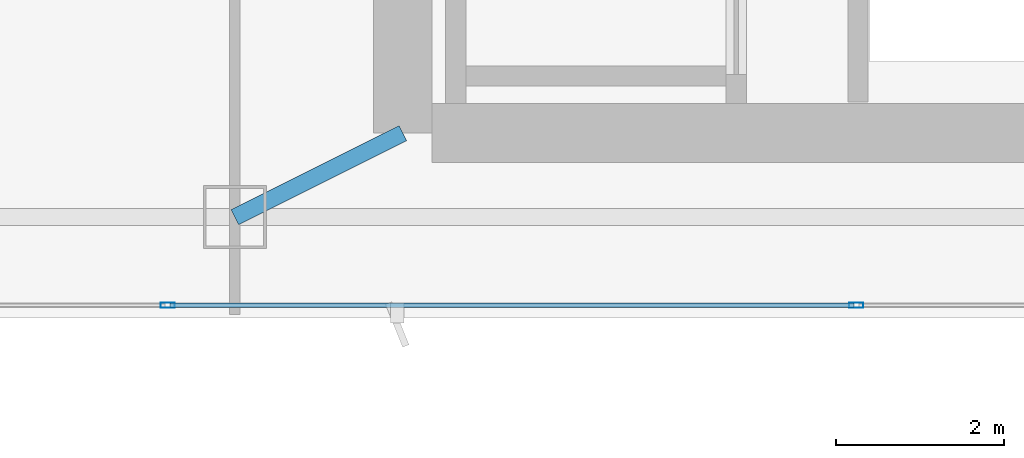
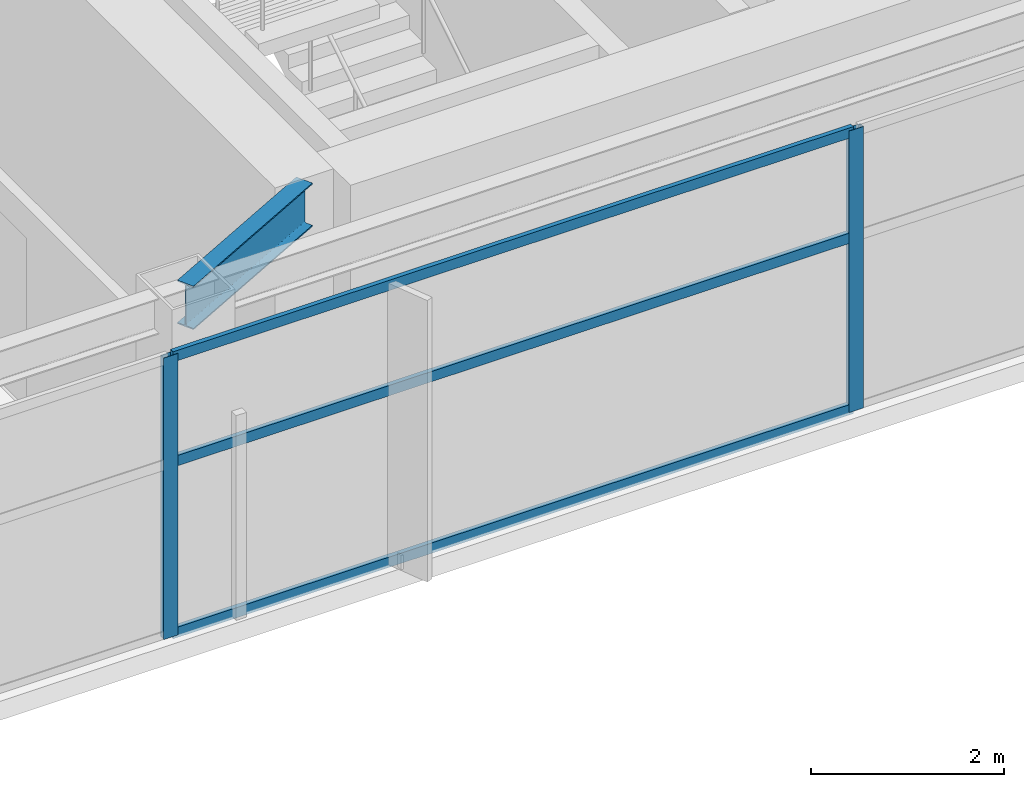
# One storey, part 7 of 29: 5 members, 1 beam, 1 element without a shape of its own.
"""IFC4 building model written with IfcOpenShell, lengths in metres."""

import ifcopenshell
import ifcopenshell.guid

model = None  # the IFC model being written
_history = None  # IfcOwnerHistory: only IFC2X3 demands one
_inside = {}  # id of a spatial element -> (the spatial element, [elements in it])
_under = {}  # id of a project, library or spatial element -> (it, [spatial elements below it])
_declared = {}  # id of a project -> (the project, [libraries it declares])
_typed = {}  # id of a type object -> (the type object, [elements of that type])
_made_of = {}  # id of a material, layer set ... -> (it, [elements and type objects made of it])


def new_model(schema):
    """Start an empty IFC model of exactly this schema.

    Asked for "IFC4X3", IfcOpenShell would pick the latest addendum, in which some entities
    have other attributes; the version numbers below select the first issue.
    IFC2X3 requires an IfcOwnerHistory on every rooted entity: one is made here for all.
    """
    global model, _history
    if schema == "IFC4X3":
        model = ifcopenshell.file(schema_version=(4, 3, 0, 0))
    else:
        model = ifcopenshell.file(schema=schema)
    _inside.clear()
    _under.clear()
    _declared.clear()
    _typed.clear()
    _made_of.clear()
    _history = None
    if model.schema == "IFC2X3":
        org = make("IfcOrganization", Name="unknown")
        user = make(
            "IfcPersonAndOrganization",
            ThePerson=make("IfcPerson", FamilyName="unknown"),
            TheOrganization=org,
        )
        app = make(
            "IfcApplication",
            ApplicationDeveloper=org,
            Version="unknown",
            ApplicationFullName="unknown",
            ApplicationIdentifier="unknown",
        )
        _history = make(
            "IfcOwnerHistory",
            OwningUser=user,
            OwningApplication=app,
            ChangeAction="ADDED",
            CreationDate=0,
        )
    return model


def make(cls, **values):
    """One entity of the class cls with the attributes given. An attribute that is None is left unset."""
    return model.create_entity(
        cls, **{name: value for name, value in values.items() if value is not None}
    )


def rooted(cls, **values):
    """An entity with a GlobalId (a new one), such as an element, a storey or a relation."""
    return make(cls, GlobalId=ifcopenshell.guid.new(), OwnerHistory=_history, **values)


def si_unit(unit_type, name, prefix=None):
    """IfcSIUnit, for example si_unit("LENGTHUNIT", "METRE", prefix="MILLI")."""
    return make("IfcSIUnit", UnitType=unit_type, Prefix=prefix, Name=name)


def assignment(units):
    """IfcUnitAssignment: the units of a project."""
    return None if units is None else make("IfcUnitAssignment", Units=units)


def point(xyz):
    """IfcCartesianPoint."""
    return None if xyz is None else make("IfcCartesianPoint", Coordinates=xyz)


def direction(xyz):
    """IfcDirection."""
    return None if xyz is None else make("IfcDirection", DirectionRatios=xyz)


def frame(location, z_axis=None, x_axis=None):
    """IfcAxis2Placement3D, a coordinate frame: its origin and axes. An axis left out is left unset."""
    return make(
        "IfcAxis2Placement3D",
        Location=point(location),
        Axis=direction(z_axis),
        RefDirection=direction(x_axis),
    )


def frame_2d(location, x_axis=None):
    """IfcAxis2Placement2D, a coordinate frame in the plane: its origin and x axis."""
    return make(
        "IfcAxis2Placement2D", Location=point(location), RefDirection=direction(x_axis)
    )


def origin():
    """The frame at (0, 0, 0) with its axes left unset."""
    return frame((0.0, 0.0, 0.0))


def origin_2d():
    """The frame at (0, 0) in the plane with its x axis left unset."""
    return frame_2d((0.0, 0.0))


def place(relative_to, where):
    """IfcLocalPlacement: puts the frame where relative to a parent placement (None: the world)."""
    return make(
        "IfcLocalPlacement", PlacementRelTo=relative_to, RelativePlacement=where
    )


def context(
    kind, dimensions, precision=None, world=None, true_north=None, identifier=None
):
    """IfcGeometricRepresentationContext, for example the 3D "Model" context."""
    return make(
        "IfcGeometricRepresentationContext",
        ContextIdentifier=identifier,
        ContextType=kind,
        CoordinateSpaceDimension=dimensions,
        Precision=precision,
        WorldCoordinateSystem=world,
        TrueNorth=true_north,
    )


def subcontext(parent, identifier, kind, view, scale=None):
    """IfcGeometricRepresentationSubContext, for example "Body" below "Model"."""
    return make(
        "IfcGeometricRepresentationSubContext",
        ContextIdentifier=identifier,
        ContextType=kind,
        ParentContext=parent,
        TargetScale=scale,
        TargetView=view,
    )


def project(units=None, contexts=None):
    """IfcProject with its units and contexts."""
    return rooted(
        "IfcProject",
        Name="project",
        RepresentationContexts=contexts,
        UnitsInContext=assignment(units),
    )


def spatial(cls, under=None, at=None, **own):
    """A site, building, storey or space (cls), placed at a placement, below another one or the project."""
    s = rooted(cls, ObjectPlacement=at, **own)
    if under is not None:
        _under.setdefault(under.id(), (under, []))[1].append(s)
    return s


def profile(cls, at=None, kind="AREA", **sizes):
    """A parametric profile (cls). Its sizes go by their IFC names, for example OverallWidth=200.0."""
    return make(cls, ProfileType=kind, Position=at, **sizes)


def hollow_rectangle(**sizes):
    """IfcRectangleHollowProfileDef."""
    return profile("IfcRectangleHollowProfileDef", **sizes)


def i_section(**sizes):
    """IfcIShapeProfileDef."""
    return profile("IfcIShapeProfileDef", **sizes)


def extrude(swept, where, along, depth):
    """IfcExtrudedAreaSolid: the profile swept, set in the frame where, extruded along a direction by depth."""
    return make(
        "IfcExtrudedAreaSolid",
        SweptArea=swept,
        Position=where,
        ExtrudedDirection=direction(along),
        Depth=depth,
    )


def shape(context_of_items, identifier, shape_type, items):
    """IfcShapeRepresentation: the items that make up one representation, for example the "Body"."""
    return make(
        "IfcShapeRepresentation",
        ContextOfItems=context_of_items,
        RepresentationIdentifier=identifier,
        RepresentationType=shape_type,
        Items=items,
    )


def material(Name=None, Category=None):
    """IfcMaterial."""
    return make("IfcMaterial", Name=Name, Category=Category)


def layer(
    of_material, thickness, ventilated=None, Name=None, Category=None, Priority=None
):
    """IfcMaterialLayer: one layer of a wall or slab, of a material (None: an air gap)."""
    return make(
        "IfcMaterialLayer",
        Material=of_material,
        LayerThickness=thickness,
        IsVentilated=ventilated,
        Name=Name,
        Category=Category,
        Priority=Priority,
    )


def layer_set(layers, Name=None):
    """IfcMaterialLayerSet."""
    return make("IfcMaterialLayerSet", MaterialLayers=layers, LayerSetName=Name)


def material_profile(
    of_material, cross_section, Name=None, Category=None, Priority=None
):
    """IfcMaterialProfile: a cross section and its material."""
    return make(
        "IfcMaterialProfile",
        Name=Name,
        Material=of_material,
        Profile=cross_section,
        Priority=Priority,
        Category=Category,
    )


def profile_set(profiles, Name=None, composite=None):
    """IfcMaterialProfileSet."""
    return make(
        "IfcMaterialProfileSet",
        Name=Name,
        MaterialProfiles=profiles,
        CompositeProfile=composite,
    )


def made_of(thing, what):
    """Note that an element or type object is made of a material, layer set ...; save() writes the relation."""
    if what is not None:
        _made_of.setdefault(what.id(), (what, []))[1].append(thing)
    return thing


def type_object(cls, material=None, **own):
    """A type object (cls), such as IfcWallType, which elements share."""
    return made_of(rooted(cls, **own), material)


def element(
    cls,
    number,
    at=None,
    inside=None,
    cuts=None,
    type_object=None,
    material=None,
    context=None,
    identifier="Body",
    shape_type=None,
    held_by="IfcProductDefinitionShape",
    body=None,
    shapes=None,
    **own,
):
    """One element of the class cls, such as IfcWall. Its Tag is "e" and its number.

    at: its placement. inside: the storey or other place that contains it. cuts: it is an
    opening in that element (IfcRelVoidsElement). A single representation is given by context,
    identifier, shape_type and body (its items); several are given by shapes. held_by: the class
    of the entity that holds the representations. save() writes the other relations.
    """
    e = rooted(cls, Tag="e%d" % number, ObjectPlacement=at, **own)
    if body is not None:
        shapes = [shape(context, identifier, shape_type, body)]
    if shapes is not None:
        e.Representation = make(held_by, Representations=shapes)
    if inside is not None:
        _inside.setdefault(inside.id(), (inside, []))[1].append(e)
    if cuts is not None:
        rooted(
            "IfcRelVoidsElement", RelatingBuildingElement=cuts, RelatedOpeningElement=e
        )
    if type_object is not None:
        _typed.setdefault(type_object.id(), (type_object, []))[1].append(e)
    return made_of(e, material)


def aggregate(whole, parts):
    """IfcRelAggregates: a whole, such as a stair, and the parts it consists of."""
    return rooted("IfcRelAggregates", RelatingObject=whole, RelatedObjects=parts)


def save(model, path):
    """Write the relations noted so far, then the file.

    IfcRelAggregates (storeys below a building ...), IfcRelContainedInSpatialStructure (elements
    in a storey), IfcRelDefinesByType, IfcRelAssociatesMaterial and IfcRelDeclares: one each for
    every whole, place, type object, material and project.
    """
    for whole, parts in _under.values():
        aggregate(whole, parts)
    for where, things in _inside.values():
        rooted(
            "IfcRelContainedInSpatialStructure",
            RelatedElements=things,
            RelatingStructure=where,
        )
    for kind, things in _typed.values():
        rooted("IfcRelDefinesByType", RelatedObjects=things, RelatingType=kind)
    for what, things in _made_of.values():
        rooted("IfcRelAssociatesMaterial", RelatedObjects=things, RelatingMaterial=what)
    for by, libraries in _declared.values():
        rooted("IfcRelDeclares", RelatingContext=by, RelatedDefinitions=libraries)
    model.write(path)


model = new_model("IFC4")

# Units and contexts
model_context = context("Model", 3, precision=1e-05, world=origin(), true_north=direction((0.0, 1.0)))
body_context = subcontext(model_context, "Body", "Model", "MODEL_VIEW")
ifc_project = project(units=[si_unit("LENGTHUNIT", "METRE"), si_unit("AREAUNIT", "SQUARE_METRE"), si_unit("VOLUMEUNIT", "CUBIC_METRE"), si_unit("PLANEANGLEUNIT", "RADIAN"), si_unit("MASSUNIT", "GRAM", prefix="KILO")], contexts=[model_context])

# Site, building, storey
site_placement = place(None, origin())
site = spatial("IfcSite", under=ifc_project, at=site_placement, CompositionType="ELEMENT")
building_placement = place(site_placement, origin())
building = spatial("IfcBuilding", under=site, at=building_placement, Name="Calvorn Quay Hotel", CompositionType="ELEMENT")
storey_placement = place(building_placement, frame((0.0, 0.0, 255.199951171875)))
storey = spatial("IfcBuildingStorey", under=building, at=storey_placement, Name="L63", CompositionType="ELEMENT", Elevation=255.199951171875)

# Beam
ifc_material_1 = material(Name="Steel Q355B", Category="steel")
ifc_material_profile_1 = material_profile(ifc_material_1, i_section(OverallWidth=0.199951171875, OverallDepth=0.550048828125, WebThickness=0.010009765625, FlangeThickness=0.01611328125, FilletRadius=0.01806640625, at=origin_2d()), Name="HN550x200x10x16")
ifc_profile_set_1 = profile_set([ifc_material_profile_1], Name="Steel Q355B")
beam_type = type_object("IfcBeamType", Name="BM-GIRD-UPP", PredefinedType="BEAM", material=ifc_profile_set_1)
beam_placement = place(storey_placement, frame((19.60009765625, 3.60009765625, 3.26513671875), z_axis=(0.894427191, 0.4472135955, 0.0), x_axis=(-0.4472135955, 0.894427191, 0.0)))
element("IfcBeam", 1, at=beam_placement, inside=storey, type_object=beam_type, Name="Beam BG-L63-S2", PredefinedType="BEAM", context=body_context, shape_type="SweptSolid", body=[
    extrude(i_section(OverallWidth=0.199951171875, OverallDepth=0.550048828125, WebThickness=0.010009765625, FlangeThickness=0.01611328125, FilletRadius=0.01806640625, at=origin_2d()), origin(), (0.0, 0.0, 1.0), 2.236083984375),
])

# Curtain wall, members
ifc_material_2 = material(Name="Champagne Bronze Anodised Aluminium and Low-E Glass", Category="aluminium")
ifc_layer = layer(ifc_material_2, 0.219970703125)
ifc_layer_set = layer_set([ifc_layer], Name="CW-SYS-Z4")
curtain_wall_type = type_object("IfcCurtainWallType", Name="CW-SYS-Z4", PredefinedType="NOTDEFINED", material=ifc_layer_set)
curtain_wall_placement = place(storey_placement, origin())
curtain_wall = element("IfcCurtainWall", 2, at=curtain_wall_placement, inside=storey, type_object=curtain_wall_type, Name="Tower South Waterfront Curtain Wall (L63)", PredefinedType="NOTDEFINED")
ifc_material_3 = material(Name="Champagne Bronze Anodised Aluminium 6063-T6", Category="aluminium")
ifc_material_profile_2 = material_profile(ifc_material_3, hollow_rectangle(XDim=0.06494140625, YDim=0.169921875, WallThickness=0.00341796875, at=origin_2d()), Name="ALU-M170x65x3.5")
ifc_profile_set_2 = profile_set([ifc_material_profile_2], Name="Champagne Bronze Anodised Aluminium 6063-T6")
member_type_1 = type_object("IfcMemberType", Name="CW-SYS-Z4-MUL", PredefinedType="MULLION", material=ifc_profile_set_2)
member_1_placement = place(storey_placement, frame((18.800048828125, 2.550048828125, 0.0), z_axis=(0.0, 0.0, 1.0), x_axis=(0.0, 1.0, 0.0)))
member_1 = element("IfcMember", 3, at=member_1_placement, type_object=member_type_1, Name="CW-L63-S mullion 2", PredefinedType="MULLION", context=body_context, shape_type="SweptSolid", body=[
    extrude(hollow_rectangle(XDim=0.06494140625, YDim=0.169921875, WallThickness=0.00341796875, at=origin_2d()), origin(), (0.0, 0.0, 1.0), 3.56005859375),
])
member_2_placement = place(storey_placement, frame((27.0, 2.550048828125, 0.0), z_axis=(0.0, 0.0, 1.0), x_axis=(0.0, 1.0, 0.0)))
member_2 = element("IfcMember", 4, at=member_2_placement, type_object=member_type_1, Name="CW-L63-S mullion 3", PredefinedType="MULLION", context=body_context, shape_type="SweptSolid", body=[
    extrude(hollow_rectangle(XDim=0.06494140625, YDim=0.169921875, WallThickness=0.00341796875, at=origin_2d()), origin(), (0.0, 0.0, 1.0), 3.56005859375),
])
ifc_material_4 = material(Name="Champagne Bronze Anodised Aluminium 6063-T6", Category="aluminium")
ifc_material_profile_3 = material_profile(ifc_material_4, hollow_rectangle(XDim=0.054931640625, YDim=0.1298828125, WallThickness=0.003173828125, at=origin_2d()), Name="ALU-T130x55x3.2")
ifc_profile_set_3 = profile_set([ifc_material_profile_3], Name="Champagne Bronze Anodised Aluminium 6063-T6")
member_type_2 = type_object("IfcMemberType", Name="CW-SYS-Z4-TRN", PredefinedType="USERDEFINED", material=ifc_profile_set_3)
member_3_placement = place(storey_placement, frame((18.830078125, 2.550048828125, 0.030029296875), z_axis=(1.0, 0.0, 0.0), x_axis=(0.0, 1.0, 0.0)))
member_3 = element("IfcMember", 5, at=member_3_placement, type_object=member_type_2, Name="CW-L63-S transom 2.1", ObjectType="TRANSOM", PredefinedType="USERDEFINED", context=body_context, shape_type="SweptSolid", body=[
    extrude(hollow_rectangle(XDim=0.054931640625, YDim=0.1298828125, WallThickness=0.003173828125, at=origin_2d()), origin(), (0.0, 0.0, 1.0), 8.139892578125),
])
member_4_placement = place(storey_placement, frame((18.830078125, 2.550048828125, 2.199951171875), z_axis=(1.0, 0.0, 0.0), x_axis=(0.0, 1.0, 0.0)))
member_4 = element("IfcMember", 6, at=member_4_placement, type_object=member_type_2, Name="CW-L63-S transom 2.2", ObjectType="TRANSOM", PredefinedType="USERDEFINED", context=body_context, shape_type="SweptSolid", body=[
    extrude(hollow_rectangle(XDim=0.054931640625, YDim=0.1298828125, WallThickness=0.003173828125, at=origin_2d()), origin(), (0.0, 0.0, 1.0), 8.139892578125),
])
member_5_placement = place(storey_placement, frame((18.830078125, 2.550048828125, 3.530029296875), z_axis=(1.0, 0.0, 0.0), x_axis=(0.0, 1.0, 0.0)))
member_5 = element("IfcMember", 7, at=member_5_placement, type_object=member_type_2, Name="CW-L63-S transom 2.3", ObjectType="TRANSOM", PredefinedType="USERDEFINED", context=body_context, shape_type="SweptSolid", body=[
    extrude(hollow_rectangle(XDim=0.054931640625, YDim=0.1298828125, WallThickness=0.003173828125, at=origin_2d()), origin(), (0.0, 0.0, 1.0), 8.139892578125),
])
aggregate(curtain_wall, [member_1, member_2, member_3, member_4, member_5])

save(model, "model.ifc")
